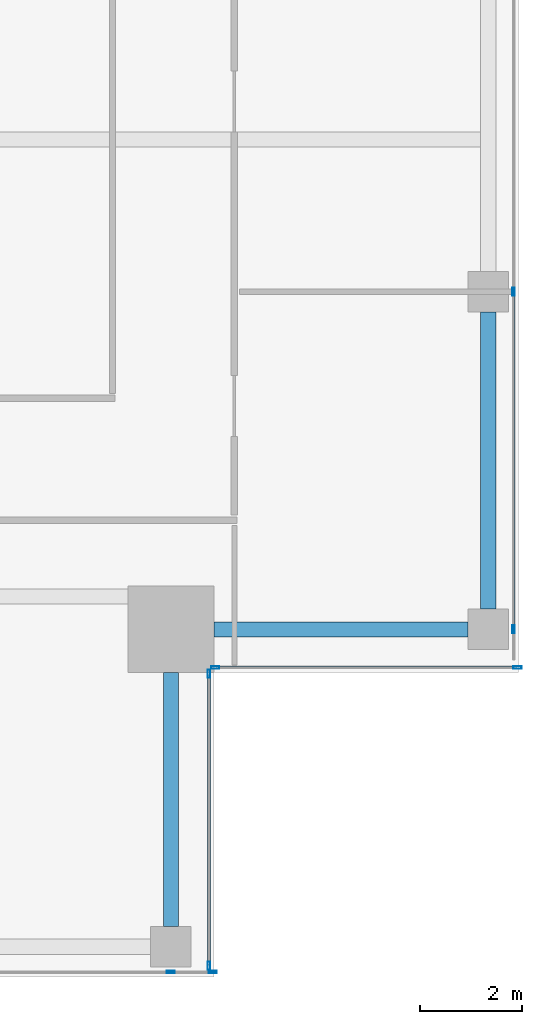
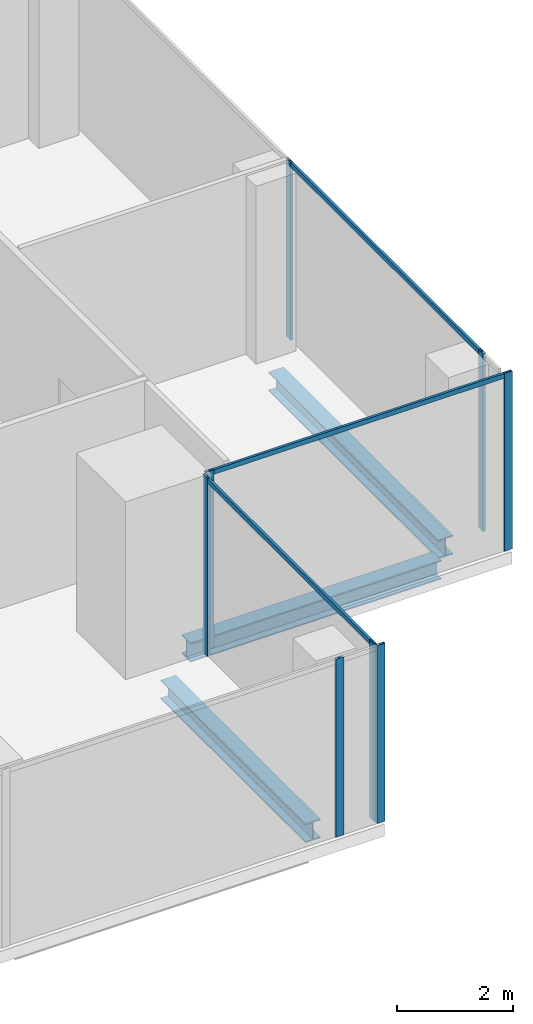
# One storey, part 9 of 29: 11 members, 3 beams, 4 elements without a shape of their own.
"""IFC4 building model written with IfcOpenShell, lengths in metres."""

from ifc_helpers import new_model, si_unit, direction, frame, origin, origin_2d, place, context, subcontext, project, spatial, hollow_rectangle, i_section, extrude, source, transform, mapped, material, material_profile, profile_set, type_object, element, aggregate, save


model = new_model("IFC4")

# Units and contexts
model_context = context("Model", 3, precision=1e-05, world=origin(), true_north=direction((0.0, 1.0)))
body_context = subcontext(model_context, "Body", "Model", "MODEL_VIEW")
ifc_project = project(units=[si_unit("LENGTHUNIT", "METRE"), si_unit("AREAUNIT", "SQUARE_METRE"), si_unit("VOLUMEUNIT", "CUBIC_METRE"), si_unit("PLANEANGLEUNIT", "RADIAN"), si_unit("MASSUNIT", "GRAM", prefix="KILO")], contexts=[model_context])

# Site, building, storey
site_placement = place(None, origin())
site = spatial("IfcSite", under=ifc_project, at=site_placement, CompositionType="ELEMENT")
building_placement = place(site_placement, origin())
building = spatial("IfcBuilding", under=site, at=building_placement, Name="Khomas Fold Tower", CompositionType="ELEMENT")
storey_placement = place(building_placement, frame((0.0, 0.0, 314.199951171875)))
storey = spatial("IfcBuildingStorey", under=building, at=storey_placement, Name="L71", CompositionType="ELEMENT", Elevation=314.199951171875)

# Beams
ifc_material_1 = material(Name="Steel S355", Category="steel")
ifc_material_profile_1 = material_profile(ifc_material_1, i_section(OverallWidth=0.300048828125, OverallDepth=0.39990234375, WebThickness=0.013427734375, FlangeThickness=0.02392578125, at=origin_2d()), Name="HE 400 B")
ifc_profile_set_1 = profile_set([ifc_material_profile_1], Name="Steel S355")
beam_type = type_object("IfcBeamType", Name="HE 400 B spandrel SB5", PredefinedType="SPANDREL", material=ifc_profile_set_1)
shared_shape_1 = source(origin(), body_context, "Body", "SweptSolid", [
    extrude(i_section(OverallWidth=0.300048828125, OverallDepth=0.39990234375, WebThickness=0.013427734375, FlangeThickness=0.02392578125, at=origin_2d()), origin(), (0.0, 0.0, 1.0), 5.85009765625),
])
beam_placement = place(storey_placement, frame((47.39990234375, 13.25, -0.449951171875), z_axis=(0.0, 1.0, 0.0), x_axis=(-1.0, 0.0, 0.0)))
element("IfcBeam", 1, at=beam_placement, inside=storey, type_object=beam_type, Name="SB5", PredefinedType="SPANDREL", context=body_context, shape_type="MappedRepresentation", body=[
    mapped(shared_shape_1, transform((0.0, 0.0, 0.0))),
])
shared_shape_2 = source(origin(), body_context, "Body", "SweptSolid", [
    extrude(i_section(OverallWidth=0.300048828125, OverallDepth=0.39990234375, WebThickness=0.013427734375, FlangeThickness=0.02392578125, at=origin_2d()), origin(), (0.0, 0.0, 1.0), 5.0),
])
for number, where, z_axis, x_axis, name in (
    (2, (41.14990234375, 7.0, -0.449951171875), (0.0, 1.0, 0.0), (-1.0, 0.0, 0.0), "SB5"),
    (3, (42.0, 12.85009765625, -0.449951171875), (1.0, 0.0, 0.0), (0.0, 1.0, 0.0), "SB5"),
):
    element("IfcBeam", number, at=place(storey_placement, frame(where, z_axis=z_axis, x_axis=x_axis)), inside=storey, type_object=beam_type, Name=name, PredefinedType="SPANDREL", context=body_context, shape_type="MappedRepresentation", body=[
        mapped(shared_shape_2, transform((0.0, 0.0, 0.0))),
    ])

# Curtain wall, members
ifc_material_2 = material(Name="Aluminium framed double glazing", Category="aluminium")
curtain_wall_type = type_object("IfcCurtainWallType", Name="SK-Unitised clear-glass wall, upper floors CW3", PredefinedType="NOTDEFINED", material=ifc_material_2)
curtain_wall_1_placement = place(storey_placement, origin())
curtain_wall_1 = element("IfcCurtainWall", 4, at=curtain_wall_1_placement, inside=storey, type_object=curtain_wall_type, Name="CW3 run L71 00-0", PredefinedType="NOTDEFINED")
ifc_material_3 = material(Name="Aluminium", Category="aluminium")
ifc_material_profile_2 = material_profile(ifc_material_3, hollow_rectangle(XDim=0.050048828125, YDim=0.159912109375, WallThickness=0.00390625, at=origin_2d()), Name="SK-Unitised clear-glass wall, upper floors mullion CW3-M")
ifc_profile_set_2 = profile_set([ifc_material_profile_2], Name="Aluminium")
member_type_1 = type_object("IfcMemberType", Name="SK-Unitised clear-glass wall, upper floors mullion CW3-M", PredefinedType="MULLION", material=ifc_profile_set_2)
shared_shape_3 = source(origin(), body_context, "Body", "SweptSolid", [
    extrude(hollow_rectangle(XDim=0.050048828125, YDim=0.159912109375, WallThickness=0.00390625, at=origin_2d()), origin(), (0.0, 0.0, 1.0), 3.75),
])
member_1_placement = place(storey_placement, frame((41.14990234375, 6.10009765625, 0.0), z_axis=(0.0, 0.0, 1.0), x_axis=(0.0, 1.0, 0.0)))
member_1 = element("IfcMember", 5, at=member_1_placement, type_object=member_type_1, Name="CW3 mullion 6", PredefinedType="MULLION", context=body_context, shape_type="MappedRepresentation", body=[
    mapped(shared_shape_3, transform((0.0, 0.0, 0.0))),
])
member_2_placement = place(storey_placement, frame((41.97509765625, 6.10009765625, 0.0), z_axis=(0.0, 0.0, 1.0), x_axis=(0.0, 1.0, 0.0)))
member_2 = element("IfcMember", 6, at=member_2_placement, type_object=member_type_1, Name="CW3 mullion 7", PredefinedType="MULLION", context=body_context, shape_type="MappedRepresentation", body=[
    mapped(shared_shape_3, transform((0.0, 0.0, 0.0))),
])
aggregate(curtain_wall_1, [member_1, member_2])

curtain_wall_2_placement = place(storey_placement, origin())
curtain_wall_2 = element("IfcCurtainWall", 7, at=curtain_wall_2_placement, inside=storey, type_object=curtain_wall_type, Name="CW3 corner return L71 01", PredefinedType="NOTDEFINED")
member_3_placement = place(storey_placement, frame((41.89990234375, 6.22509765625, 0.0), z_axis=(0.0, 0.0, 1.0), x_axis=(-1.0, 0.0, 0.0)))
member_3 = element("IfcMember", 8, at=member_3_placement, type_object=member_type_1, Name="CW3 mullion 1", PredefinedType="MULLION", context=body_context, shape_type="MappedRepresentation", body=[
    mapped(shared_shape_3, transform((0.0, 0.0, 0.0))),
])
member_4_placement = place(storey_placement, frame((41.89990234375, 11.97509765625, 0.0), z_axis=(0.0, 0.0, 1.0), x_axis=(-1.0, 0.0, 0.0)))
member_4 = element("IfcMember", 9, at=member_4_placement, type_object=member_type_1, Name="CW3 mullion 2", PredefinedType="MULLION", context=body_context, shape_type="MappedRepresentation", body=[
    mapped(shared_shape_3, transform((0.0, 0.0, 0.0))),
])

curtain_wall_3_placement = place(storey_placement, origin())
curtain_wall_3 = element("IfcCurtainWall", 10, at=curtain_wall_3_placement, inside=storey, type_object=curtain_wall_type, Name="CW3 corner return L71 02", PredefinedType="NOTDEFINED")
member_5_placement = place(storey_placement, frame((42.02490234375, 12.10009765625, 0.0), z_axis=(0.0, 0.0, 1.0), x_axis=(0.0, 1.0, 0.0)))
member_5 = element("IfcMember", 11, at=member_5_placement, type_object=member_type_1, Name="CW3 mullion 1", PredefinedType="MULLION", context=body_context, shape_type="MappedRepresentation", body=[
    mapped(shared_shape_3, transform((0.0, 0.0, 0.0))),
])
member_6_placement = place(storey_placement, frame((47.97509765625, 12.10009765625, 0.0), z_axis=(0.0, 0.0, 1.0), x_axis=(0.0, 1.0, 0.0)))
member_6 = element("IfcMember", 12, at=member_6_placement, type_object=member_type_1, Name="CW3 mullion 2", PredefinedType="MULLION", context=body_context, shape_type="MappedRepresentation", body=[
    mapped(shared_shape_3, transform((0.0, 0.0, 0.0))),
])

curtain_wall_4_placement = place(storey_placement, origin())
curtain_wall_4 = element("IfcCurtainWall", 13, at=curtain_wall_4_placement, inside=storey, type_object=curtain_wall_type, Name="CW3 run L71 03-0", PredefinedType="NOTDEFINED")
member_7_placement = place(storey_placement, frame((47.89990234375, 12.85009765625, 0.0), z_axis=(0.0, 0.0, 1.0), x_axis=(-1.0, 0.0, 0.0)))
member_7 = element("IfcMember", 14, at=member_7_placement, type_object=member_type_1, Name="CW3 mullion 2", PredefinedType="MULLION", context=body_context, shape_type="MappedRepresentation", body=[
    mapped(shared_shape_3, transform((0.0, 0.0, 0.0))),
])
member_8_placement = place(storey_placement, frame((47.89990234375, 19.5, 0.0), z_axis=(0.0, 0.0, 1.0), x_axis=(-1.0, 0.0, 0.0)))
member_8 = element("IfcMember", 15, at=member_8_placement, type_object=member_type_1, Name="CW3 mullion 3", PredefinedType="MULLION", context=body_context, shape_type="MappedRepresentation", body=[
    mapped(shared_shape_3, transform((0.0, 0.0, 0.0))),
])
ifc_material_4 = material(Name="Aluminium", Category="aluminium")
ifc_material_profile_3 = material_profile(ifc_material_4, hollow_rectangle(XDim=0.050048828125, YDim=0.10009765625, WallThickness=0.00390625, at=origin_2d()), Name="SK-Unitised clear-glass wall, upper floors transom CW3-T")
ifc_profile_set_3 = profile_set([ifc_material_profile_3], Name="Aluminium")
member_type_2 = type_object("IfcMemberType", Name="SK-Unitised clear-glass wall, upper floors transom CW3-T", PredefinedType="USERDEFINED", material=ifc_profile_set_3)
shared_shape_4 = source(origin(), body_context, "Body", "SweptSolid", [
    extrude(hollow_rectangle(XDim=0.050048828125, YDim=0.10009765625, WallThickness=0.00390625, at=origin_2d()), origin(), (0.0, 0.0, 1.0), 6.60009765625),
])
member_9_placement = place(storey_placement, frame((47.89990234375, 12.875, 3.699951171875), z_axis=(0.0, 1.0, 0.0), x_axis=(-1.0, 0.0, 0.0)))
member_9 = element("IfcMember", 16, at=member_9_placement, type_object=member_type_2, Name="CW3 transom 2", ObjectType="TRANSOM", PredefinedType="USERDEFINED", context=body_context, shape_type="MappedRepresentation", body=[
    mapped(shared_shape_4, transform((0.0, 0.0, 0.0))),
])
aggregate(curtain_wall_4, [member_7, member_8, member_9])

# Member
shared_shape_5 = source(origin(), body_context, "Body", "SweptSolid", [
    extrude(hollow_rectangle(XDim=0.050048828125, YDim=0.10009765625, WallThickness=0.00390625, at=origin_2d()), origin(), (0.0, 0.0, 1.0), 5.699951171875),
])
member_10_placement = place(storey_placement, frame((41.89990234375, 6.25, 3.699951171875), z_axis=(0.0, 1.0, 0.0), x_axis=(-1.0, 0.0, 0.0)))
member_10 = element("IfcMember", 17, at=member_10_placement, type_object=member_type_2, Name="CW3 transom 1", ObjectType="TRANSOM", PredefinedType="USERDEFINED", context=body_context, shape_type="MappedRepresentation", body=[
    mapped(shared_shape_5, transform((0.0, 0.0, 0.0))),
])

aggregate(curtain_wall_2, [member_3, member_4, member_10])

shared_shape_6 = source(origin(), body_context, "Body", "SweptSolid", [
    extrude(hollow_rectangle(XDim=0.050048828125, YDim=0.10009765625, WallThickness=0.00390625, at=origin_2d()), origin(), (0.0, 0.0, 1.0), 5.89990234375),
])
member_11_placement = place(storey_placement, frame((42.050048828125, 12.10009765625, 3.699951171875), z_axis=(1.0, 0.0, 0.0), x_axis=(0.0, 1.0, 0.0)))
member_11 = element("IfcMember", 18, at=member_11_placement, type_object=member_type_2, Name="CW3 transom 1", ObjectType="TRANSOM", PredefinedType="USERDEFINED", context=body_context, shape_type="MappedRepresentation", body=[
    mapped(shared_shape_6, transform((0.0, 0.0, 0.0))),
])

aggregate(curtain_wall_3, [member_5, member_6, member_11])

save(model, "model.ifc")
